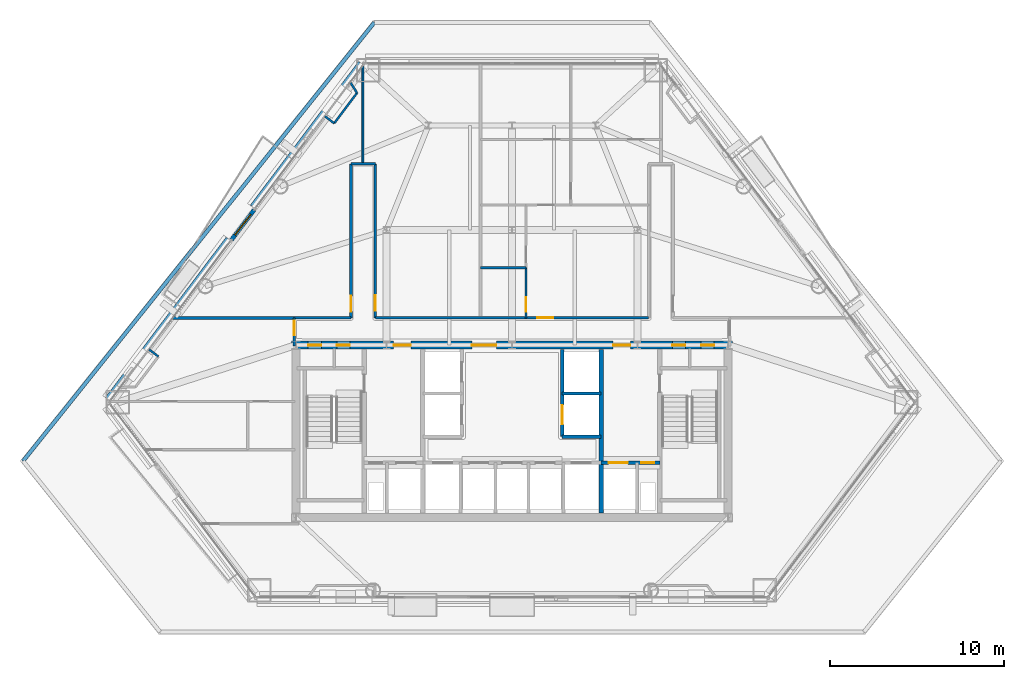
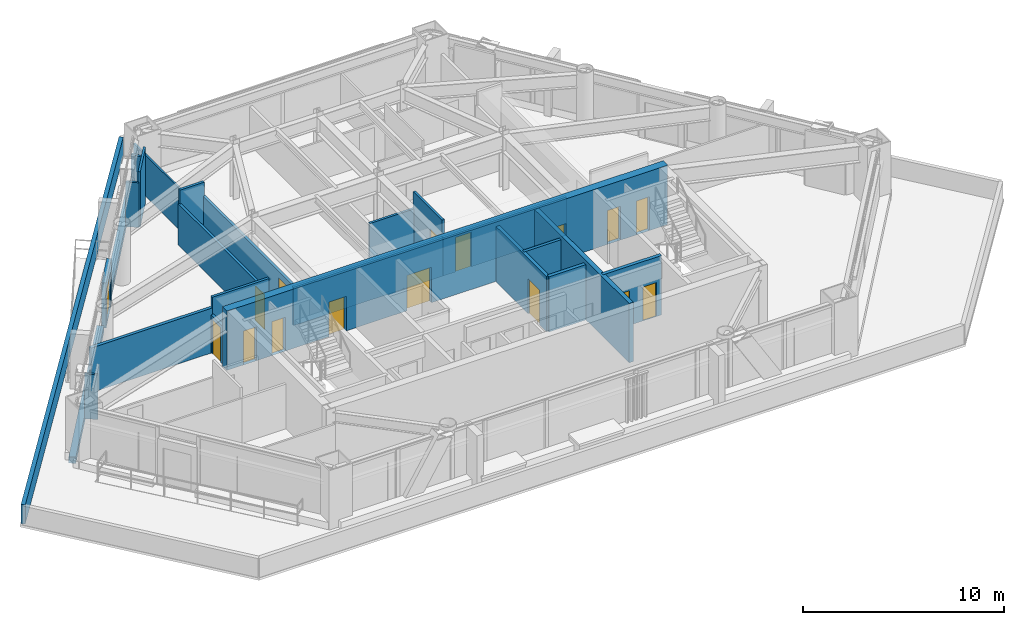
# One storey, part 8 of 13: 25 walls, 16 doors, 16 openings.
"""IFC4 building model written with IfcOpenShell, lengths in metres."""

import ifcopenshell
import ifcopenshell.guid

model = None  # the IFC model being written
_history = None  # IfcOwnerHistory: only IFC2X3 demands one
_inside = {}  # id of a spatial element -> (the spatial element, [elements in it])
_under = {}  # id of a project, library or spatial element -> (it, [spatial elements below it])
_declared = {}  # id of a project -> (the project, [libraries it declares])
_typed = {}  # id of a type object -> (the type object, [elements of that type])
_made_of = {}  # id of a material, layer set ... -> (it, [elements and type objects made of it])


def new_model(schema):
    """Start an empty IFC model of exactly this schema.

    Asked for "IFC4X3", IfcOpenShell would pick the latest addendum, in which some entities
    have other attributes; the version numbers below select the first issue.
    IFC2X3 requires an IfcOwnerHistory on every rooted entity: one is made here for all.
    """
    global model, _history
    if schema == "IFC4X3":
        model = ifcopenshell.file(schema_version=(4, 3, 0, 0))
    else:
        model = ifcopenshell.file(schema=schema)
    _inside.clear()
    _under.clear()
    _declared.clear()
    _typed.clear()
    _made_of.clear()
    _history = None
    if model.schema == "IFC2X3":
        org = make("IfcOrganization", Name="unknown")
        user = make(
            "IfcPersonAndOrganization",
            ThePerson=make("IfcPerson", FamilyName="unknown"),
            TheOrganization=org,
        )
        app = make(
            "IfcApplication",
            ApplicationDeveloper=org,
            Version="unknown",
            ApplicationFullName="unknown",
            ApplicationIdentifier="unknown",
        )
        _history = make(
            "IfcOwnerHistory",
            OwningUser=user,
            OwningApplication=app,
            ChangeAction="ADDED",
            CreationDate=0,
        )
    return model


def make(cls, **values):
    """One entity of the class cls with the attributes given. An attribute that is None is left unset."""
    return model.create_entity(
        cls, **{name: value for name, value in values.items() if value is not None}
    )


def rooted(cls, **values):
    """An entity with a GlobalId (a new one), such as an element, a storey or a relation."""
    return make(cls, GlobalId=ifcopenshell.guid.new(), OwnerHistory=_history, **values)


def si_unit(unit_type, name, prefix=None):
    """IfcSIUnit, for example si_unit("LENGTHUNIT", "METRE", prefix="MILLI")."""
    return make("IfcSIUnit", UnitType=unit_type, Prefix=prefix, Name=name)


def assignment(units):
    """IfcUnitAssignment: the units of a project."""
    return None if units is None else make("IfcUnitAssignment", Units=units)


def point(xyz):
    """IfcCartesianPoint."""
    return None if xyz is None else make("IfcCartesianPoint", Coordinates=xyz)


def direction(xyz):
    """IfcDirection."""
    return None if xyz is None else make("IfcDirection", DirectionRatios=xyz)


def frame(location, z_axis=None, x_axis=None):
    """IfcAxis2Placement3D, a coordinate frame: its origin and axes. An axis left out is left unset."""
    return make(
        "IfcAxis2Placement3D",
        Location=point(location),
        Axis=direction(z_axis),
        RefDirection=direction(x_axis),
    )


def frame_2d(location, x_axis=None):
    """IfcAxis2Placement2D, a coordinate frame in the plane: its origin and x axis."""
    return make(
        "IfcAxis2Placement2D", Location=point(location), RefDirection=direction(x_axis)
    )


def origin():
    """The frame at (0, 0, 0) with its axes left unset."""
    return frame((0.0, 0.0, 0.0))


def place(relative_to, where):
    """IfcLocalPlacement: puts the frame where relative to a parent placement (None: the world)."""
    return make(
        "IfcLocalPlacement", PlacementRelTo=relative_to, RelativePlacement=where
    )


def context(
    kind, dimensions, precision=None, world=None, true_north=None, identifier=None
):
    """IfcGeometricRepresentationContext, for example the 3D "Model" context."""
    return make(
        "IfcGeometricRepresentationContext",
        ContextIdentifier=identifier,
        ContextType=kind,
        CoordinateSpaceDimension=dimensions,
        Precision=precision,
        WorldCoordinateSystem=world,
        TrueNorth=true_north,
    )


def subcontext(parent, identifier, kind, view, scale=None):
    """IfcGeometricRepresentationSubContext, for example "Body" below "Model"."""
    return make(
        "IfcGeometricRepresentationSubContext",
        ContextIdentifier=identifier,
        ContextType=kind,
        ParentContext=parent,
        TargetScale=scale,
        TargetView=view,
    )


def project(units=None, contexts=None):
    """IfcProject with its units and contexts."""
    return rooted(
        "IfcProject",
        Name="project",
        RepresentationContexts=contexts,
        UnitsInContext=assignment(units),
    )


def spatial(cls, under=None, at=None, **own):
    """A site, building, storey or space (cls), placed at a placement, below another one or the project."""
    s = rooted(cls, ObjectPlacement=at, **own)
    if under is not None:
        _under.setdefault(under.id(), (under, []))[1].append(s)
    return s


def profile(cls, at=None, kind="AREA", **sizes):
    """A parametric profile (cls). Its sizes go by their IFC names, for example OverallWidth=200.0."""
    return make(cls, ProfileType=kind, Position=at, **sizes)


def rectangle(**sizes):
    """IfcRectangleProfileDef."""
    return profile("IfcRectangleProfileDef", **sizes)


def extrude(swept, where, along, depth):
    """IfcExtrudedAreaSolid: the profile swept, set in the frame where, extruded along a direction by depth."""
    return make(
        "IfcExtrudedAreaSolid",
        SweptArea=swept,
        Position=where,
        ExtrudedDirection=direction(along),
        Depth=depth,
    )


def shape(context_of_items, identifier, shape_type, items):
    """IfcShapeRepresentation: the items that make up one representation, for example the "Body"."""
    return make(
        "IfcShapeRepresentation",
        ContextOfItems=context_of_items,
        RepresentationIdentifier=identifier,
        RepresentationType=shape_type,
        Items=items,
    )


def material(Name=None, Category=None):
    """IfcMaterial."""
    return make("IfcMaterial", Name=Name, Category=Category)


def layer(
    of_material, thickness, ventilated=None, Name=None, Category=None, Priority=None
):
    """IfcMaterialLayer: one layer of a wall or slab, of a material (None: an air gap)."""
    return make(
        "IfcMaterialLayer",
        Material=of_material,
        LayerThickness=thickness,
        IsVentilated=ventilated,
        Name=Name,
        Category=Category,
        Priority=Priority,
    )


def layer_set(layers, Name=None):
    """IfcMaterialLayerSet."""
    return make("IfcMaterialLayerSet", MaterialLayers=layers, LayerSetName=Name)


def made_of(thing, what):
    """Note that an element or type object is made of a material, layer set ...; save() writes the relation."""
    if what is not None:
        _made_of.setdefault(what.id(), (what, []))[1].append(thing)
    return thing


def type_object(cls, material=None, **own):
    """A type object (cls), such as IfcWallType, which elements share."""
    return made_of(rooted(cls, **own), material)


def element(
    cls,
    number,
    at=None,
    inside=None,
    cuts=None,
    type_object=None,
    material=None,
    context=None,
    identifier="Body",
    shape_type=None,
    held_by="IfcProductDefinitionShape",
    body=None,
    shapes=None,
    **own,
):
    """One element of the class cls, such as IfcWall. Its Tag is "e" and its number.

    at: its placement. inside: the storey or other place that contains it. cuts: it is an
    opening in that element (IfcRelVoidsElement). A single representation is given by context,
    identifier, shape_type and body (its items); several are given by shapes. held_by: the class
    of the entity that holds the representations. save() writes the other relations.
    """
    e = rooted(cls, Tag="e%d" % number, ObjectPlacement=at, **own)
    if body is not None:
        shapes = [shape(context, identifier, shape_type, body)]
    if shapes is not None:
        e.Representation = make(held_by, Representations=shapes)
    if inside is not None:
        _inside.setdefault(inside.id(), (inside, []))[1].append(e)
    if cuts is not None:
        rooted(
            "IfcRelVoidsElement", RelatingBuildingElement=cuts, RelatedOpeningElement=e
        )
    if type_object is not None:
        _typed.setdefault(type_object.id(), (type_object, []))[1].append(e)
    return made_of(e, material)


def fill(opening, filler):
    """IfcRelFillsElement: the door or window that sits in an opening."""
    return rooted(
        "IfcRelFillsElement",
        RelatingOpeningElement=opening,
        RelatedBuildingElement=filler,
    )


def aggregate(whole, parts):
    """IfcRelAggregates: a whole, such as a stair, and the parts it consists of."""
    return rooted("IfcRelAggregates", RelatingObject=whole, RelatedObjects=parts)


def save(model, path):
    """Write the relations noted so far, then the file.

    IfcRelAggregates (storeys below a building ...), IfcRelContainedInSpatialStructure (elements
    in a storey), IfcRelDefinesByType, IfcRelAssociatesMaterial and IfcRelDeclares: one each for
    every whole, place, type object, material and project.
    """
    for whole, parts in _under.values():
        aggregate(whole, parts)
    for where, things in _inside.values():
        rooted(
            "IfcRelContainedInSpatialStructure",
            RelatedElements=things,
            RelatingStructure=where,
        )
    for kind, things in _typed.values():
        rooted("IfcRelDefinesByType", RelatedObjects=things, RelatingType=kind)
    for what, things in _made_of.values():
        rooted("IfcRelAssociatesMaterial", RelatedObjects=things, RelatingMaterial=what)
    for by, libraries in _declared.values():
        rooted("IfcRelDeclares", RelatingContext=by, RelatedDefinitions=libraries)
    model.write(path)


model = new_model("IFC4")

# Units and contexts
model_context = context("Model", 3, precision=1e-05, world=origin(), true_north=direction((0.0, 1.0)))
body_context = subcontext(model_context, "Body", "Model", "MODEL_VIEW")
ifc_project = project(units=[si_unit("LENGTHUNIT", "METRE"), si_unit("AREAUNIT", "SQUARE_METRE"), si_unit("VOLUMEUNIT", "CUBIC_METRE"), si_unit("PLANEANGLEUNIT", "RADIAN"), si_unit("MASSUNIT", "GRAM", prefix="KILO")], contexts=[model_context])

# Site, building, storey
site_placement = place(None, origin())
site = spatial("IfcSite", under=ifc_project, at=site_placement, CompositionType="ELEMENT")
building_placement = place(site_placement, origin())
building = spatial("IfcBuilding", under=site, at=building_placement, Name="Talgorran Terracotta Tower", CompositionType="ELEMENT")
storey_placement = place(building_placement, frame((0.0, 0.0, 24.300048828125)))
storey = spatial("IfcBuildingStorey", under=building, at=storey_placement, Name="L05", CompositionType="ELEMENT", Elevation=24.300048828125)

# Wall, opening, door
ifc_material_1 = material(Name="Concrete C40/50", Category="concrete")
ifc_layer_1 = layer(ifc_material_1, 0.239990234375, Name="WT_BALCONY_SPAND")
ifc_layer_set_1 = layer_set([ifc_layer_1], Name="Concrete C40/50")
wall_type_1 = type_object("IfcWallType", Name="WT_BALCONY_SPAND", PredefinedType="STANDARD", material=ifc_layer_set_1)
wall_1_placement = place(storey_placement, frame((-14.799560546875, 3.560791015625, -0.01513671875), z_axis=(0.0, 0.0, 1.0), x_axis=(-0.601823875366, -0.798628839349, 0.0)))
wall_1 = element("IfcWall", 1, at=wall_1_placement, inside=storey, type_object=wall_type_1, Name="WL-L05-BALP-BAL-NW", PredefinedType="STANDARD", context=body_context, shape_type="SweptSolid", body=[
    extrude(rectangle(XDim=2.139892578125, YDim=0.239990234375, at=frame_2d((1.06982421875, 0.0))), origin(), (0.0, 0.0, 1.0), 2.728515625),
])
opening_1_placement = place(wall_1_placement, frame((0.320068359375, 0.0, 0.014892578125)))
opening_1 = element("IfcOpeningElement", 2, at=opening_1_placement, cuts=wall_1, Name="Opening D-BAL-L05-2", PredefinedType="OPENING", context=body_context, shape_type="SweptSolid", body=[
    extrude(rectangle(XDim=1.506, YDim=2.203951171875, at=frame_2d((0.75, 1.10205078125))), frame((0.0, 0.1298828125, 0.0), z_axis=(0.0, -1.0, 0.0), x_axis=(1.0, 0.0, 0.0)), (0.0, 0.0, 1.0), 0.260009765625),
])
ifc_material_2 = material(Name="Thermally Broken Aluminium", Category="aluminium")
door_type_1 = type_object("IfcDoorType", Name="DT_BALC_1500", OperationType="SLIDING_TO_RIGHT", PredefinedType="DOOR", material=ifc_material_2)
door_1_placement = place(opening_1_placement, origin())
door_1 = element("IfcDoor", 3, at=door_1_placement, inside=storey, type_object=door_type_1, Name="DR-L05-BAL-BAL-NW", OperationType="SLIDING_TO_RIGHT", OverallHeight=2.199951171875, OverallWidth=1.5, PredefinedType="DOOR", context=body_context, shape_type="SweptSolid", body=[
    extrude(rectangle(XDim=1.5, YDim=2.199951171875, at=frame_2d((0.75, 1.10009765625))), frame((0.0, 0.02490234375, 0.0), z_axis=(0.0, -1.0, 0.0), x_axis=(1.0, 0.0, 0.0)), (0.0, 0.0, 1.0), 0.050048828125),
])
fill(opening_1, door_1)

# Wall, openings, doors
ifc_material_3 = material(Name="Concrete C50/60", Category="concrete")
ifc_layer_2 = layer(ifc_material_3, 0.199951171875, Name="WT_CORE_200")
ifc_layer_set_2 = layer_set([ifc_layer_2], Name="Concrete C50/60")
wall_type_2 = type_object("IfcWallType", Name="WT_CORE_200", PredefinedType="SOLIDWALL", material=ifc_layer_set_2)
wall_2_placement = place(storey_placement, frame((5.1201171875, -10.949951171875, 0.0), z_axis=(0.0, 0.0, 1.0), x_axis=(1.0, 0.0, 0.0)))
wall_2 = element("IfcWall", 4, at=wall_2_placement, inside=storey, type_object=wall_type_2, Name="WL-L05-CW-H-SBE", PredefinedType="SOLIDWALL", context=body_context, shape_type="SweptSolid", body=[
    extrude(rectangle(XDim=3.35986328125, YDim=0.199951171875, at=frame_2d((1.679931640625, 0.0))), origin(), (0.0, 0.0, 1.0), 3.599853515625),
])
opening_2_placement = place(wall_2_placement, frame((0.419921875, 0.0, 0.0)))
opening_2 = element("IfcOpeningElement", 5, at=opening_2_placement, cuts=wall_2, Name="Opening LD-FFL2", PredefinedType="OPENING", context=body_context, shape_type="SweptSolid", body=[
    extrude(rectangle(XDim=1.10609765625, YDim=2.10409765625, at=frame_2d((0.550048828125, 1.052001953125))), frame((0.0, 0.10986328125, 0.0), z_axis=(0.0, -1.0, 0.0), x_axis=(1.0, 0.0, 0.0)), (0.0, 0.0, 1.0), 0.219970703125),
])
opening_3_placement = place(wall_2_placement, frame((2.300048828125, 0.0, 0.0)))
opening_3 = element("IfcOpeningElement", 6, at=opening_3_placement, cuts=wall_2, Name="Opening DR-RSE", PredefinedType="OPENING", context=body_context, shape_type="SweptSolid", body=[
    extrude(rectangle(XDim=0.756, YDim=2.054048828125, at=frame_2d((0.375, 1.027099609375))), frame((0.0, 0.10986328125, 0.0), z_axis=(0.0, -1.0, 0.0), x_axis=(1.0, 0.0, 0.0)), (0.0, 0.0, 1.0), 0.219970703125),
])
ifc_material_4 = material(Name="Brushed Stainless Steel Grade 304", Category="steel")
door_type_2 = type_object("IfcDoorType", Name="DT_LIFT_LD1100", OperationType="DOUBLE_DOOR_SLIDING", PredefinedType="DOOR", material=ifc_material_4)
door_2_placement = place(opening_2_placement, origin())
door_2 = element("IfcDoor", 7, at=door_2_placement, inside=storey, type_object=door_type_2, Name="L05 Lift Landing Door LD-FFL2", OperationType="DOUBLE_DOOR_SLIDING", OverallHeight=2.10009765625, OverallWidth=1.10009765625, PredefinedType="DOOR", context=body_context, shape_type="SweptSolid", body=[
    extrude(rectangle(XDim=1.10009765625, YDim=2.10009765625, at=frame_2d((0.550048828125, 1.050048828125))), frame((0.0, 0.02490234375, 0.0), z_axis=(0.0, -1.0, 0.0), x_axis=(1.0, 0.0, 0.0)), (0.0, 0.0, 1.0), 0.050048828125),
])
fill(opening_2, door_2)
ifc_material_5 = material(Name="Fire-Rated Pressed Steel", Category="steel")
door_type_3 = type_object("IfcDoorType", Name="DT_RISER_750", OperationType="NOTDEFINED", PredefinedType="DOOR", material=ifc_material_5)
door_3_placement = place(opening_3_placement, origin())
door_3 = element("IfcDoor", 8, at=door_3_placement, inside=storey, type_object=door_type_3, Name="DR-RSE", OperationType="SINGLE_SWING_RIGHT", OverallHeight=2.050048828125, OverallWidth=0.75, PredefinedType="DOOR", context=body_context, shape_type="SweptSolid", body=[
    extrude(rectangle(XDim=0.75, YDim=2.050048828125, at=frame_2d((0.375, 1.02490234375))), frame((0.0, 0.02490234375, 0.0), z_axis=(0.0, -1.0, 0.0), x_axis=(1.0, 0.0, 0.0)), (0.0, 0.0, 1.0), 0.050048828125),
])
fill(opening_3, door_3)

# Wall, opening, door
wall_3_placement = place(storey_placement, frame((2.8798828125, -9.449951171875, 0.0), z_axis=(0.0, 0.0, 1.0), x_axis=(0.0, 1.0, 0.0)))
wall_3 = element("IfcWall", 9, at=wall_3_placement, inside=storey, type_object=wall_type_2, Name="WL-L05-CW-V-E3", PredefinedType="SOLIDWALL", context=body_context, shape_type="SweptSolid", body=[
    extrude(rectangle(XDim=5.0, YDim=0.199951171875, at=frame_2d((2.5, 0.0))), origin(), (0.0, 0.0, 1.0), 3.349853515625),
])
opening_4_placement = place(wall_3_placement, frame((0.699951171875, 0.0, 0.0)))
opening_4 = element("IfcOpeningElement", 10, at=opening_4_placement, cuts=wall_3, Name="Opening LD-PLM1", PredefinedType="OPENING", context=body_context, shape_type="SweptSolid", body=[
    extrude(rectangle(XDim=1.10609765625, YDim=2.10409765625, at=frame_2d((0.550048828125, 1.052001953125))), frame((0.0, 0.10986328125, 0.0), z_axis=(0.0, -1.0, 0.0), x_axis=(1.0, 0.0, 0.0)), (0.0, 0.0, 1.0), 0.219970703125),
])
door_4_placement = place(opening_4_placement, origin())
door_4 = element("IfcDoor", 11, at=door_4_placement, inside=storey, type_object=door_type_2, Name="L05 Lift Landing Door LD-PLM1", OperationType="DOUBLE_DOOR_SLIDING", OverallHeight=2.10009765625, OverallWidth=1.10009765625, PredefinedType="DOOR", context=body_context, shape_type="SweptSolid", body=[
    extrude(rectangle(XDim=1.10009765625, YDim=2.10009765625, at=frame_2d((0.550048828125, 1.050048828125))), frame((0.0, 0.02490234375, 0.0), z_axis=(0.0, -1.0, 0.0), x_axis=(1.0, 0.0, 0.0)), (0.0, 0.0, 1.0), 0.050048828125),
])
fill(opening_4, door_4)

# Walls
wall_4_placement = place(storey_placement, frame((2.8798828125, -9.449951171875, 0.0), z_axis=(0.0, 0.0, 1.0), x_axis=(1.0, 0.0, 0.0)))
element("IfcWall", 12, at=wall_4_placement, inside=storey, type_object=wall_type_2, Name="WL-L05-CW-H-E4", PredefinedType="SOLIDWALL", context=body_context, shape_type="SweptSolid", body=[
    extrude(rectangle(XDim=2.240234375, YDim=0.199951171875, at=frame_2d((1.1201171875, 0.0))), origin(), (0.0, 0.0, 1.0), 3.349853515625),
])
ifc_layer_3 = layer(ifc_material_3, 0.25, Name="WT_CORE_250")
ifc_layer_set_3 = layer_set([ifc_layer_3], Name="Concrete C50/60")
wall_type_3 = type_object("IfcWallType", Name="WT_CORE_250", PredefinedType="SHEAR", material=ifc_layer_set_3)
wall_5_placement = place(storey_placement, frame((5.1201171875, -13.85009765625, 0.0), z_axis=(0.0, 0.0, 1.0), x_axis=(0.0, 1.0, 0.0)))
element("IfcWall", 13, at=wall_5_placement, inside=storey, type_object=wall_type_3, Name="WL-L05-CW-V-E2", PredefinedType="SHEAR", context=body_context, shape_type="SweptSolid", body=[
    extrude(rectangle(XDim=9.400146484375, YDim=0.25, at=frame_2d((4.7001953125, 0.0))), origin(), (0.0, 0.0, 1.0), 3.599853515625),
])

# Wall, openings, doors
ifc_material_6 = material(Name="Concrete C65/80", Category="concrete")
ifc_layer_4 = layer(ifc_material_6, 0.449951171875, Name="WT_CORE_EXT")
ifc_layer_set_4 = layer_set([ifc_layer_4], Name="Concrete C65/80")
wall_type_4 = type_object("IfcWallType", Name="WT_CORE_EXT", PredefinedType="SHEAR", material=ifc_layer_set_4)
wall_6_placement = place(storey_placement, frame((-12.64990234375, -4.199951171875, 0.0), z_axis=(0.0, 0.0, 1.0), x_axis=(1.0, 0.0, 0.0)))
wall_6 = element("IfcWall", 14, at=wall_6_placement, inside=storey, type_object=wall_type_4, Name="WL-L05-CW-OUT-N", PredefinedType="SHEAR", context=body_context, shape_type="SweptSolid", body=[
    extrude(rectangle(XDim=25.2998046875, YDim=0.449951171875, at=frame_2d((12.64990234375, 0.0))), origin(), (0.0, 0.0, 1.0), 3.599853515625),
])
opening_5_placement = place(wall_6_placement, frame((0.949951171875, 0.0, 0.0)))
opening_5 = element("IfcOpeningElement", 15, at=opening_5_placement, cuts=wall_6, Name="Opening DR-CSN1", PredefinedType="OPENING", context=body_context, shape_type="SweptSolid", body=[
    extrude(rectangle(XDim=0.756, YDim=2.054048828125, at=frame_2d((0.375, 1.027099609375))), frame((0.0, 0.23486328125, 0.0), z_axis=(0.0, -1.0, 0.0), x_axis=(1.0, 0.0, 0.0)), (0.0, 0.0, 1.0), 0.469970703125),
])
opening_6_placement = place(wall_6_placement, frame((2.60009765625, 0.0, 0.0)))
opening_6 = element("IfcOpeningElement", 16, at=opening_6_placement, cuts=wall_6, Name="Opening DR-CSN2", PredefinedType="OPENING", context=body_context, shape_type="SweptSolid", body=[
    extrude(rectangle(XDim=0.756, YDim=2.054048828125, at=frame_2d((0.375, 1.027099609375))), frame((0.0, 0.23486328125, 0.0), z_axis=(0.0, -1.0, 0.0), x_axis=(1.0, 0.0, 0.0)), (0.0, 0.0, 1.0), 0.469970703125),
])
opening_7_placement = place(wall_6_placement, frame((21.85009765625, 0.0, 0.0)))
opening_7 = element("IfcOpeningElement", 17, at=opening_7_placement, cuts=wall_6, Name="Opening DR-CSN3", PredefinedType="OPENING", context=body_context, shape_type="SweptSolid", body=[
    extrude(rectangle(XDim=0.756, YDim=2.054048828125, at=frame_2d((0.375, 1.027099609375))), frame((0.0, 0.23486328125, 0.0), z_axis=(0.0, -1.0, 0.0), x_axis=(1.0, 0.0, 0.0)), (0.0, 0.0, 1.0), 0.469970703125),
])
opening_8_placement = place(wall_6_placement, frame((23.5, 0.0, 0.0)))
opening_8 = element("IfcOpeningElement", 18, at=opening_8_placement, cuts=wall_6, Name="Opening DR-CSN4", PredefinedType="OPENING", context=body_context, shape_type="SweptSolid", body=[
    extrude(rectangle(XDim=0.756, YDim=2.054048828125, at=frame_2d((0.375, 1.027099609375))), frame((0.0, 0.23486328125, 0.0), z_axis=(0.0, -1.0, 0.0), x_axis=(1.0, 0.0, 0.0)), (0.0, 0.0, 1.0), 0.469970703125),
])
opening_9_placement = place(wall_6_placement, frame((5.85009765625, 0.0, 0.0)))
opening_9 = element("IfcOpeningElement", 19, at=opening_9_placement, cuts=wall_6, Name="Opening DR-FFLW-N", PredefinedType="OPENING", context=body_context, shape_type="SweptSolid", body=[
    extrude(rectangle(XDim=1.006, YDim=2.10409765625, at=frame_2d((0.5, 1.052001953125))), frame((0.0, 0.23486328125, 0.0), z_axis=(0.0, -1.0, 0.0), x_axis=(1.0, 0.0, 0.0)), (0.0, 0.0, 1.0), 0.469970703125),
])
opening_10_placement = place(wall_6_placement, frame((10.35009765625, 0.0, 0.0)))
opening_10 = element("IfcOpeningElement", 20, at=opening_10_placement, cuts=wall_6, Name="Opening DR-PLL-N", PredefinedType="OPENING", context=body_context, shape_type="SweptSolid", body=[
    extrude(rectangle(XDim=1.40590234375, YDim=2.15390234375, at=frame_2d((0.699951171875, 1.076904296875))), frame((0.0, 0.23486328125, 0.0), z_axis=(0.0, -1.0, 0.0), x_axis=(1.0, 0.0, 0.0)), (0.0, 0.0, 1.0), 0.469970703125),
])
opening_11_placement = place(wall_6_placement, frame((18.449951171875, 0.0, 0.0)))
opening_11 = element("IfcOpeningElement", 21, at=opening_11_placement, cuts=wall_6, Name="Opening DR-FFLE-N", PredefinedType="OPENING", context=body_context, shape_type="SweptSolid", body=[
    extrude(rectangle(XDim=1.006, YDim=2.10409765625, at=frame_2d((0.5, 1.052001953125))), frame((0.0, 0.23486328125, 0.0), z_axis=(0.0, -1.0, 0.0), x_axis=(1.0, 0.0, 0.0)), (0.0, 0.0, 1.0), 0.469970703125),
])
ifc_material_7 = material(Name="Acoustic Glazed Timber", Category="wood")
door_type_4 = type_object("IfcDoorType", Name="DT_DOUBLE_1400", OperationType="DOUBLE_DOOR_SINGLE_SWING", PredefinedType="DOOR", material=ifc_material_7)
door_5_placement = place(opening_10_placement, origin())
door_5 = element("IfcDoor", 22, at=door_5_placement, inside=storey, type_object=door_type_4, Name="DR-PLL-N", OperationType="DOUBLE_DOOR_SINGLE_SWING", OverallHeight=2.14990234375, OverallWidth=1.39990234375, PredefinedType="DOOR", context=body_context, shape_type="SweptSolid", body=[
    extrude(rectangle(XDim=1.39990234375, YDim=2.14990234375, at=frame_2d((0.699951171875, 1.074951171875))), frame((0.0, 0.02490234375, 0.0), z_axis=(0.0, -1.0, 0.0), x_axis=(1.0, 0.0, 0.0)), (0.0, 0.0, 1.0), 0.050048828125),
])
fill(opening_10, door_5)
door_type_5 = type_object("IfcDoorType", Name="DT_FIRE_1000", OperationType="NOTDEFINED", PredefinedType="DOOR", material=ifc_material_5)
door_6_placement = place(opening_9_placement, origin())
door_6 = element("IfcDoor", 23, at=door_6_placement, inside=storey, type_object=door_type_5, Name="DR-FFLW-N", OperationType="SINGLE_SWING_LEFT", OverallHeight=2.10009765625, OverallWidth=1.0, PredefinedType="DOOR", context=body_context, shape_type="SweptSolid", body=[
    extrude(rectangle(XDim=1.0, YDim=2.10009765625, at=frame_2d((0.5, 1.050048828125))), frame((0.0, 0.02490234375, 0.0), z_axis=(0.0, -1.0, 0.0), x_axis=(1.0, 0.0, 0.0)), (0.0, 0.0, 1.0), 0.050048828125),
])
fill(opening_9, door_6)
door_7_placement = place(opening_11_placement, origin())
door_7 = element("IfcDoor", 24, at=door_7_placement, inside=storey, type_object=door_type_5, Name="DR-FFLE-N", OperationType="SINGLE_SWING_RIGHT", OverallHeight=2.10009765625, OverallWidth=1.0, PredefinedType="DOOR", context=body_context, shape_type="SweptSolid", body=[
    extrude(rectangle(XDim=1.0, YDim=2.10009765625, at=frame_2d((0.5, 1.050048828125))), frame((0.0, 0.02490234375, 0.0), z_axis=(0.0, -1.0, 0.0), x_axis=(1.0, 0.0, 0.0)), (0.0, 0.0, 1.0), 0.050048828125),
])
fill(opening_11, door_7)
door_8_placement = place(opening_5_placement, origin())
door_8 = element("IfcDoor", 25, at=door_8_placement, inside=storey, type_object=door_type_3, Name="DR-CSN1", OperationType="SINGLE_SWING_LEFT", OverallHeight=2.050048828125, OverallWidth=0.75, PredefinedType="DOOR", context=body_context, shape_type="SweptSolid", body=[
    extrude(rectangle(XDim=0.75, YDim=2.050048828125, at=frame_2d((0.375, 1.02490234375))), frame((0.0, 0.02490234375, 0.0), z_axis=(0.0, -1.0, 0.0), x_axis=(1.0, 0.0, 0.0)), (0.0, 0.0, 1.0), 0.050048828125),
])
fill(opening_5, door_8)
door_9_placement = place(opening_6_placement, origin())
door_9 = element("IfcDoor", 26, at=door_9_placement, inside=storey, type_object=door_type_3, Name="DR-CSN2", OperationType="SINGLE_SWING_RIGHT", OverallHeight=2.050048828125, OverallWidth=0.75, PredefinedType="DOOR", context=body_context, shape_type="SweptSolid", body=[
    extrude(rectangle(XDim=0.75, YDim=2.050048828125, at=frame_2d((0.375, 1.02490234375))), frame((0.0, 0.02490234375, 0.0), z_axis=(0.0, -1.0, 0.0), x_axis=(1.0, 0.0, 0.0)), (0.0, 0.0, 1.0), 0.050048828125),
])
fill(opening_6, door_9)
door_10_placement = place(opening_7_placement, origin())
door_10 = element("IfcDoor", 27, at=door_10_placement, inside=storey, type_object=door_type_3, Name="DR-CSN3", OperationType="SINGLE_SWING_LEFT", OverallHeight=2.050048828125, OverallWidth=0.75, PredefinedType="DOOR", context=body_context, shape_type="SweptSolid", body=[
    extrude(rectangle(XDim=0.75, YDim=2.050048828125, at=frame_2d((0.375, 1.02490234375))), frame((0.0, 0.02490234375, 0.0), z_axis=(0.0, -1.0, 0.0), x_axis=(1.0, 0.0, 0.0)), (0.0, 0.0, 1.0), 0.050048828125),
])
fill(opening_7, door_10)
door_11_placement = place(opening_8_placement, origin())
door_11 = element("IfcDoor", 28, at=door_11_placement, inside=storey, type_object=door_type_3, Name="DR-CSN4", OperationType="SINGLE_SWING_RIGHT", OverallHeight=2.050048828125, OverallWidth=0.75, PredefinedType="DOOR", context=body_context, shape_type="SweptSolid", body=[
    extrude(rectangle(XDim=0.75, YDim=2.050048828125, at=frame_2d((0.375, 1.02490234375))), frame((0.0, 0.02490234375, 0.0), z_axis=(0.0, -1.0, 0.0), x_axis=(1.0, 0.0, 0.0)), (0.0, 0.0, 1.0), 0.050048828125),
])
fill(opening_8, door_11)

# Wall, opening, door
ifc_material_8 = material(Name="Fire-Rated Steel Stud Plasterboard", Category="steel")
ifc_layer_5 = layer(ifc_material_8, 0.14990234375, Name="WT_FIRE_150")
ifc_layer_set_5 = layer_set([ifc_layer_5], Name="Fire-Rated Steel Stud Plasterboard")
wall_type_5 = type_object("IfcWallType", Name="WT_FIRE_150", PredefinedType="PARTITIONING", material=ifc_layer_set_5)
wall_7_placement = place(storey_placement, frame((-9.239990234375, -2.639892578125, 0.0), z_axis=(0.0, 0.0, 1.0), x_axis=(0.0, 1.0, 0.0)))
wall_7 = element("IfcWall", 29, at=wall_7_placement, inside=storey, type_object=wall_type_5, Name="WL-L05-W-L05-R04", PredefinedType="PARTITIONING", context=body_context, shape_type="SweptSolid", body=[
    extrude(rectangle(XDim=8.83984375, YDim=0.14990234375, at=frame_2d((4.419921875, 0.0))), origin(), (0.0, 0.0, 1.0), 2.509033203125),
])
opening_12_placement = place(wall_7_placement, frame((0.359375, 0.0, 0.0)))
opening_12 = element("IfcOpeningElement", 30, at=opening_12_placement, cuts=wall_7, Name="Opening DR-L05-R06", PredefinedType="OPENING", context=body_context, shape_type="SweptSolid", body=[
    extrude(rectangle(XDim=0.90590234375, YDim=2.10409765625, at=frame_2d((0.449951171875, 1.052001953125))), frame((0.0, 0.0849609375, 0.0), z_axis=(0.0, -1.0, 0.0), x_axis=(1.0, 0.0, 0.0)), (0.0, 0.0, 1.0), 0.169921875),
])
ifc_material_9 = material(Name="Fire-Rated Timber Core", Category="wood")
door_type_6 = type_object("IfcDoorType", Name="DT_FIRE_900", OperationType="NOTDEFINED", PredefinedType="DOOR", material=ifc_material_9)
door_12_placement = place(opening_12_placement, origin())
door_12 = element("IfcDoor", 31, at=door_12_placement, inside=storey, type_object=door_type_6, Name="DR-L05-R06", OperationType="SINGLE_SWING_RIGHT", OverallHeight=2.10009765625, OverallWidth=0.89990234375, PredefinedType="DOOR", context=body_context, shape_type="SweptSolid", body=[
    extrude(rectangle(XDim=0.89990234375, YDim=2.10009765625, at=frame_2d((0.449951171875, 1.050048828125))), frame((0.0, 0.02490234375, 0.0), z_axis=(0.0, -1.0, 0.0), x_axis=(1.0, 0.0, 0.0)), (0.0, 0.0, 1.0), 0.050048828125),
])
fill(opening_12, door_12)

wall_8_placement = place(storey_placement, frame((-7.840087890625, -2.639892578125, 0.0), z_axis=(0.0, 0.0, 1.0), x_axis=(0.0, 1.0, 0.0)))
wall_8 = element("IfcWall", 32, at=wall_8_placement, inside=storey, type_object=wall_type_5, Name="WL-L05-W-L05-R07", PredefinedType="PARTITIONING", context=body_context, shape_type="SweptSolid", body=[
    extrude(rectangle(XDim=8.83984375, YDim=0.14990234375, at=frame_2d((4.419921875, 0.0))), origin(), (0.0, 0.0, 1.0), 2.509033203125),
])
opening_13_placement = place(wall_8_placement, frame((0.3994140625, 0.0, 0.0)))
opening_13 = element("IfcOpeningElement", 33, at=opening_13_placement, cuts=wall_8, Name="Opening DR-L05-R07", PredefinedType="OPENING", context=body_context, shape_type="SweptSolid", body=[
    extrude(rectangle(XDim=0.90590234375, YDim=2.10409765625, at=frame_2d((0.449951171875, 1.052001953125))), frame((0.0, 0.0849609375, 0.0), z_axis=(0.0, -1.0, 0.0), x_axis=(1.0, 0.0, 0.0)), (0.0, 0.0, 1.0), 0.169921875),
])
door_13_placement = place(opening_13_placement, origin())
door_13 = element("IfcDoor", 34, at=door_13_placement, inside=storey, type_object=door_type_6, Name="DR-L05-R07", OperationType="SINGLE_SWING_LEFT", OverallHeight=2.10009765625, OverallWidth=0.89990234375, PredefinedType="DOOR", context=body_context, shape_type="SweptSolid", body=[
    extrude(rectangle(XDim=0.89990234375, YDim=2.10009765625, at=frame_2d((0.449951171875, 1.050048828125))), frame((0.0, 0.02490234375, 0.0), z_axis=(0.0, -1.0, 0.0), x_axis=(1.0, 0.0, 0.0)), (0.0, 0.0, 1.0), 0.050048828125),
])
fill(opening_13, door_13)

wall_9_placement = place(storey_placement, frame((0.739990234375, -2.639892578125, 0.0), z_axis=(0.0, 0.0, 1.0), x_axis=(1.0, 0.0, 0.0)))
wall_9 = element("IfcWall", 35, at=wall_9_placement, inside=storey, type_object=wall_type_5, Name="WL-L05-W-L05-R10", PredefinedType="PARTITIONING", context=body_context, shape_type="SweptSolid", body=[
    extrude(rectangle(XDim=7.10009765625, YDim=0.14990234375, at=frame_2d((3.550048828125, 0.0))), origin(), (0.0, 0.0, 1.0), 2.324951171875),
])
opening_14_placement = place(wall_9_placement, frame((0.719970703125, 0.0, 0.0)))
opening_14 = element("IfcOpeningElement", 36, at=opening_14_placement, cuts=wall_9, Name="Opening DR-L05-R10", PredefinedType="OPENING", context=body_context, shape_type="SweptSolid", body=[
    extrude(rectangle(XDim=0.90590234375, YDim=2.10409765625, at=frame_2d((0.449951171875, 1.052001953125))), frame((0.0, 0.0849609375, 0.0), z_axis=(0.0, -1.0, 0.0), x_axis=(1.0, 0.0, 0.0)), (0.0, 0.0, 1.0), 0.169921875),
])
door_14_placement = place(opening_14_placement, origin())
door_14 = element("IfcDoor", 37, at=door_14_placement, inside=storey, type_object=door_type_6, Name="DR-L05-R10", OperationType="SINGLE_SWING_RIGHT", OverallHeight=2.10009765625, OverallWidth=0.89990234375, PredefinedType="DOOR", context=body_context, shape_type="SweptSolid", body=[
    extrude(rectangle(XDim=0.89990234375, YDim=2.10009765625, at=frame_2d((0.449951171875, 1.050048828125))), frame((0.0, 0.02490234375, 0.0), z_axis=(0.0, -1.0, 0.0), x_axis=(1.0, 0.0, 0.0)), (0.0, 0.0, 1.0), 0.050048828125),
])
fill(opening_14, door_14)

# Walls
wall_10_placement = place(storey_placement, frame((-7.840087890625, -2.639892578125, 0.0), z_axis=(0.0, 0.0, 1.0), x_axis=(1.0, 0.0, 0.0)))
element("IfcWall", 38, at=wall_10_placement, inside=storey, type_object=wall_type_5, Name="WL-L05-W-L05-R08", PredefinedType="PARTITIONING", context=body_context, shape_type="SweptSolid", body=[
    extrude(rectangle(XDim=8.578125, YDim=0.14990234375, at=frame_2d((4.2890625, 0.0))), origin(), (0.0, 0.0, 1.0), 2.324951171875),
])
wall_11_placement = place(storey_placement, frame((-12.5, -2.639892578125, 0.0), z_axis=(0.0, 0.0, 1.0), x_axis=(1.0, 0.0, 0.0)))
element("IfcWall", 39, at=wall_11_placement, inside=storey, type_object=wall_type_5, Name="WL-L05-W-L05-R03", PredefinedType="PARTITIONING", context=body_context, shape_type="SweptSolid", body=[
    extrude(rectangle(XDim=3.260009765625, YDim=0.14990234375, at=frame_2d((1.6298828125, 0.0))), origin(), (0.0, 0.0, 1.0), 3.349853515625),
])

# Wall, opening, door
wall_12_placement = place(storey_placement, frame((-12.5, -4.239990234375, 0.0), z_axis=(0.0, 0.0, 1.0), x_axis=(0.0, 1.0, 0.0)))
wall_12 = element("IfcWall", 40, at=wall_12_placement, inside=storey, type_object=wall_type_5, Name="WL-L05-W-L05-R01", PredefinedType="PARTITIONING", context=body_context, shape_type="SweptSolid", body=[
    extrude(rectangle(XDim=1.60009765625, YDim=0.14990234375, at=frame_2d((0.800048828125, 0.0))), origin(), (0.0, 0.0, 1.0), 2.324951171875),
])
opening_15_placement = place(wall_12_placement, frame((0.602294921875, 0.0, 0.0)))
opening_15 = element("IfcOpeningElement", 41, at=opening_15_placement, cuts=wall_12, Name="Opening DR-L05-R01", PredefinedType="OPENING", context=body_context, shape_type="SweptSolid", body=[
    extrude(rectangle(XDim=0.826068359375, YDim=2.10409765625, at=frame_2d((0.41015625, 1.052001953125))), frame((0.0, 0.0849609375, 0.0), z_axis=(0.0, -1.0, 0.0), x_axis=(1.0, 0.0, 0.0)), (0.0, 0.0, 1.0), 0.169921875),
])
ifc_material_10 = material(Name="Moisture-Resistant Solid Timber", Category="wood")
door_type_7 = type_object("IfcDoorType", Name="DT_INT_820", OperationType="NOTDEFINED", PredefinedType="DOOR", material=ifc_material_10)
door_15_placement = place(opening_15_placement, origin())
door_15 = element("IfcDoor", 42, at=door_15_placement, inside=storey, type_object=door_type_7, Name="DR-L05-R01", OperationType="SINGLE_SWING_LEFT", OverallHeight=2.10009765625, OverallWidth=0.820068359375, PredefinedType="DOOR", context=body_context, shape_type="SweptSolid", body=[
    extrude(rectangle(XDim=0.820068359375, YDim=2.10009765625, at=frame_2d((0.41015625, 1.050048828125))), frame((0.0, 0.02490234375, 0.0), z_axis=(0.0, -1.0, 0.0), x_axis=(1.0, 0.0, 0.0)), (0.0, 0.0, 1.0), 0.050048828125),
])
fill(opening_15, door_15)

# Walls
wall_13_placement = place(storey_placement, frame((-9.239990234375, 6.199951171875, 0.0), z_axis=(0.0, 0.0, 1.0), x_axis=(1.0, 0.0, 0.0)))
element("IfcWall", 43, at=wall_13_placement, inside=storey, type_object=wall_type_5, Name="WL-L05-W-L05-R06", PredefinedType="PARTITIONING", context=body_context, shape_type="SweptSolid", body=[
    extrude(rectangle(XDim=1.39990234375, YDim=0.14990234375, at=frame_2d((0.699951171875, 0.0))), origin(), (0.0, 0.0, 1.0), 3.349853515625),
])
ifc_layer_6 = layer(ifc_material_1, 0.219970703125, Name="WT_PARAPET_RC")
ifc_layer_set_6 = layer_set([ifc_layer_6], Name="Concrete C40/50")
wall_type_6 = type_object("IfcWallType", Name="WT_PARAPET_RC", PredefinedType="PARAPET", material=ifc_layer_set_6)
wall_14_placement = place(storey_placement, frame((-7.896728515625, 14.31591796875, -0.02001953125), z_axis=(0.0, 0.0, 1.0), x_axis=(-0.625118708534, -0.780529692094, 0.0)))
element("IfcWall", 44, at=wall_14_placement, inside=storey, type_object=wall_type_6, Name="WL-L05-PARAPET-6", PredefinedType="PARAPET", context=body_context, shape_type="SweptSolid", body=[
    extrude(rectangle(XDim=32.249755859375, YDim=0.219970703125, at=frame_2d((16.125, 0.0))), origin(), (0.0, 0.0, 1.0), 1.169921875),
])
wall_15_placement = place(storey_placement, frame((-8.66259765625, 11.970947265625, -0.199951171875), z_axis=(0.0, 0.0, 1.0), x_axis=(-0.601811534932, -0.798638138597, 0.0)))
element("IfcWall", 45, at=wall_15_placement, inside=storey, type_object=wall_type_6, Name="L05 Striped Portal Precast Cornice F60", PredefinedType="PARAPET", context=body_context, shape_type="SweptSolid", body=[
    extrude(rectangle(XDim=10.320068359375, YDim=0.360107421875, at=frame_2d((5.16015625, 0.0))), origin(), (0.0, 0.0, 1.0), 0.3798828125),
])
wall_16_placement = place(storey_placement, frame((-16.269287109375, 1.876220703125, -0.199951171875), z_axis=(0.0, 0.0, 1.0), x_axis=(-0.601817630469, -0.798633545286, 0.0)))
element("IfcWall", 46, at=wall_16_placement, inside=storey, type_object=wall_type_6, Name="L05 Striped Portal Precast Cornice F61", PredefinedType="PARAPET", context=body_context, shape_type="SweptSolid", body=[
    extrude(rectangle(XDim=11.48779296875, YDim=0.360107421875, at=frame_2d((5.743896484375, 0.0))), origin(), (0.0, 0.0, 1.0), 0.3798828125),
])
ifc_material_11 = material(Name="Acoustic Stud and Plasterboard")
ifc_layer_7 = layer(ifc_material_11, 0.179931640625, Name="WT_PARTY_200")
ifc_layer_set_7 = layer_set([ifc_layer_7], Name="Acoustic Stud and Plasterboard")
wall_type_7 = type_object("IfcWallType", Name="WT_PARTY_200", PredefinedType="PARTITIONING", material=ifc_layer_set_7)
wall_17_placement = place(storey_placement, frame((-19.472412109375, -2.639892578125, 0.0), z_axis=(0.0, 0.0, 1.0), x_axis=(1.0, 0.0, 0.0)))
element("IfcWall", 47, at=wall_17_placement, inside=storey, type_object=wall_type_7, Name="WL-L05-W-L05-R19", PredefinedType="PARTITIONING", context=body_context, shape_type="SweptSolid", body=[
    extrude(rectangle(XDim=6.972412109375, YDim=0.179931640625, at=frame_2d((3.486328125, 0.0))), origin(), (0.0, 0.0, 1.0), 2.71337890625),
])
ifc_material_12 = material(Name="Lightweight Steel Stud Partition", Category="steel")
ifc_layer_8 = layer(ifc_material_12, 0.10498046875, Name="WT_PART_110")
ifc_layer_set_8 = layer_set([ifc_layer_8], Name="Lightweight Steel Stud Partition")
wall_type_8 = type_object("IfcWallType", Name="WT_PART_110", PredefinedType="PARTITIONING", material=ifc_layer_set_8)
wall_18_placement = place(storey_placement, frame((-8.56005859375, 6.199951171875, 0.0), z_axis=(0.0, 0.0, 1.0), x_axis=(0.0, 1.0, 0.0)))
element("IfcWall", 48, at=wall_18_placement, inside=storey, type_object=wall_type_8, Name="WL-L05-W-L05-R25", PredefinedType="PARTITIONING", context=body_context, shape_type="SweptSolid", body=[
    extrude(rectangle(XDim=5.64111328125, YDim=0.10498046875, at=frame_2d((2.820556640625, 0.0))), origin(), (0.0, 0.0, 1.0), 2.509033203125),
])
ifc_material_13 = material(Name="Insulated Steel Stud Plasterboard", Category="steel")
ifc_layer_9 = layer(ifc_material_13, 0.1201171875, Name="WT_PART_120")
ifc_layer_set_9 = layer_set([ifc_layer_9], Name="Insulated Steel Stud Plasterboard")
wall_type_9 = type_object("IfcWallType", Name="WT_PART_120", PredefinedType="PARTITIONING", material=ifc_layer_set_9)
wall_19_placement = place(storey_placement, frame((-8.892578125, 10.269775390625, 0.0), z_axis=(0.0, 0.0, 1.0), x_axis=(-0.601844028436, -0.798613652172, 0.0)))
element("IfcWall", 49, at=wall_19_placement, inside=storey, type_object=wall_type_9, Name="WL-L05-BW-L05-14", PredefinedType="PARTITIONING", context=body_context, shape_type="SweptSolid", body=[
    extrude(rectangle(XDim=2.179931640625, YDim=0.1201171875, at=frame_2d((1.08984375, 0.0))), origin(), (0.0, 0.0, 1.0), 3.349853515625),
])
wall_20_placement = place(storey_placement, frame((-9.277099609375, 10.873046875, 0.0), z_axis=(0.0, 0.0, 1.0), x_axis=(0.537493641355, -0.84326780177, 0.0)))
element("IfcWall", 50, at=wall_20_placement, inside=storey, type_object=wall_type_9, Name="WL-L05-BW-L05-13", PredefinedType="PARTITIONING", context=body_context, shape_type="SweptSolid", body=[
    extrude(rectangle(XDim=0.71533203125, YDim=0.1201171875, at=frame_2d((0.357666015625, 0.0))), origin(), (0.0, 0.0, 1.0), 2.71337890625),
])
wall_21_placement = place(storey_placement, frame((-20.828125, -4.455810546875, 0.0), z_axis=(0.0, 0.0, 1.0), x_axis=(0.798466789666, -0.602038857384, 0.0)))
element("IfcWall", 51, at=wall_21_placement, inside=storey, type_object=wall_type_9, Name="WL-L05-BW-L05-07", PredefinedType="PARTITIONING", context=body_context, shape_type="SweptSolid", body=[
    extrude(rectangle(XDim=0.669921875, YDim=0.1201171875, at=frame_2d((0.3349609375, 0.0))), origin(), (0.0, 0.0, 1.0), 2.71337890625),
])
wall_22_placement = place(storey_placement, frame((-10.20458984375, 8.52880859375, 0.0), z_axis=(0.0, 0.0, 1.0), x_axis=(-0.798641978857, 0.601806438655, 0.0)))
element("IfcWall", 52, at=wall_22_placement, inside=storey, type_object=wall_type_9, Name="WL-L05-BW-L05-15", PredefinedType="PARTITIONING", context=body_context, shape_type="SweptSolid", body=[
    extrude(rectangle(XDim=0.669677734375, YDim=0.1201171875, at=frame_2d((0.3349609375, 0.0))), origin(), (0.0, 0.0, 1.0), 2.71337890625),
])

# Wall, opening, door
ifc_material_14 = material(Name="Moisture-Resistant Stud Wall")
ifc_layer_10 = layer(ifc_material_14, 0.135009765625, Name="WT_PART_135")
ifc_layer_set_10 = layer_set([ifc_layer_10], Name="Moisture-Resistant Stud Wall")
wall_type_10 = type_object("IfcWallType", Name="WT_PART_135", PredefinedType="PARTITIONING", material=ifc_layer_set_10)
wall_23_placement = place(storey_placement, frame((0.800048828125, -2.639892578125, 0.0), z_axis=(0.0, 0.0, 1.0), x_axis=(0.0, 1.0, 0.0)))
wall_23 = element("IfcWall", 53, at=wall_23_placement, inside=storey, type_object=wall_type_10, Name="WL-L05-W-L05-R31", PredefinedType="PARTITIONING", context=body_context, shape_type="SweptSolid", body=[
    extrude(rectangle(XDim=2.8798828125, YDim=0.135009765625, at=frame_2d((1.43994140625, 0.0))), origin(), (0.0, 0.0, 1.0), 3.349853515625),
])
opening_16_placement = place(wall_23_placement, frame((0.357421875, 0.0, 0.0)))
opening_16 = element("IfcOpeningElement", 54, at=opening_16_placement, cuts=wall_23, Name="Opening DR-L05-R08", PredefinedType="OPENING", context=body_context, shape_type="SweptSolid", body=[
    extrude(rectangle(XDim=0.826068359375, YDim=2.10409765625, at=frame_2d((0.41015625, 1.052001953125))), frame((0.0, 0.07763671875, 0.0), z_axis=(0.0, -1.0, 0.0), x_axis=(1.0, 0.0, 0.0)), (0.0, 0.0, 1.0), 0.155029296875),
])
door_16_placement = place(opening_16_placement, origin())
door_16 = element("IfcDoor", 55, at=door_16_placement, inside=storey, type_object=door_type_7, Name="DR-L05-R08", OperationType="SINGLE_SWING_RIGHT", OverallHeight=2.10009765625, OverallWidth=0.820068359375, PredefinedType="DOOR", context=body_context, shape_type="SweptSolid", body=[
    extrude(rectangle(XDim=0.820068359375, YDim=2.10009765625, at=frame_2d((0.41015625, 1.050048828125))), frame((0.0, 0.02490234375, 0.0), z_axis=(0.0, -1.0, 0.0), x_axis=(1.0, 0.0, 0.0)), (0.0, 0.0, 1.0), 0.050048828125),
])
fill(opening_16, door_16)

# Walls
wall_24_placement = place(storey_placement, frame((-1.800048828125, 0.239990234375, 0.0), z_axis=(0.0, 0.0, 1.0), x_axis=(1.0, 0.0, 0.0)))
element("IfcWall", 56, at=wall_24_placement, inside=storey, type_object=wall_type_10, Name="WL-L05-W-L05-R30", PredefinedType="PARTITIONING", context=body_context, shape_type="SweptSolid", body=[
    extrude(rectangle(XDim=2.60009765625, YDim=0.135009765625, at=frame_2d((1.300048828125, 0.0))), origin(), (0.0, 0.0, 1.0), 2.324951171875),
])
ifc_material_15 = material(Name="Fire-Rated Shaftwall")
ifc_layer_11 = layer(ifc_material_15, 0.159912109375, Name="WT_PART_150")
ifc_layer_set_11 = layer_set([ifc_layer_11], Name="Fire-Rated Shaftwall")
wall_type_11 = type_object("IfcWallType", Name="WT_PART_150", PredefinedType="PARTITIONING", material=ifc_layer_set_11)
wall_25_placement = place(storey_placement, frame((2.8798828125, -6.97998046875, 0.0), z_axis=(0.0, 0.0, 1.0), x_axis=(1.0, 0.0, 0.0)))
element("IfcWall", 57, at=wall_25_placement, inside=storey, type_object=wall_type_11, Name="WL-L05-CW-PLM-DIV", PredefinedType="PARTITIONING", context=body_context, shape_type="SweptSolid", body=[
    extrude(rectangle(XDim=2.240234375, YDim=0.159912109375, at=frame_2d((1.1201171875, 0.0))), origin(), (0.0, 0.0, 1.0), 3.349853515625),
])

save(model, "model.ifc")
